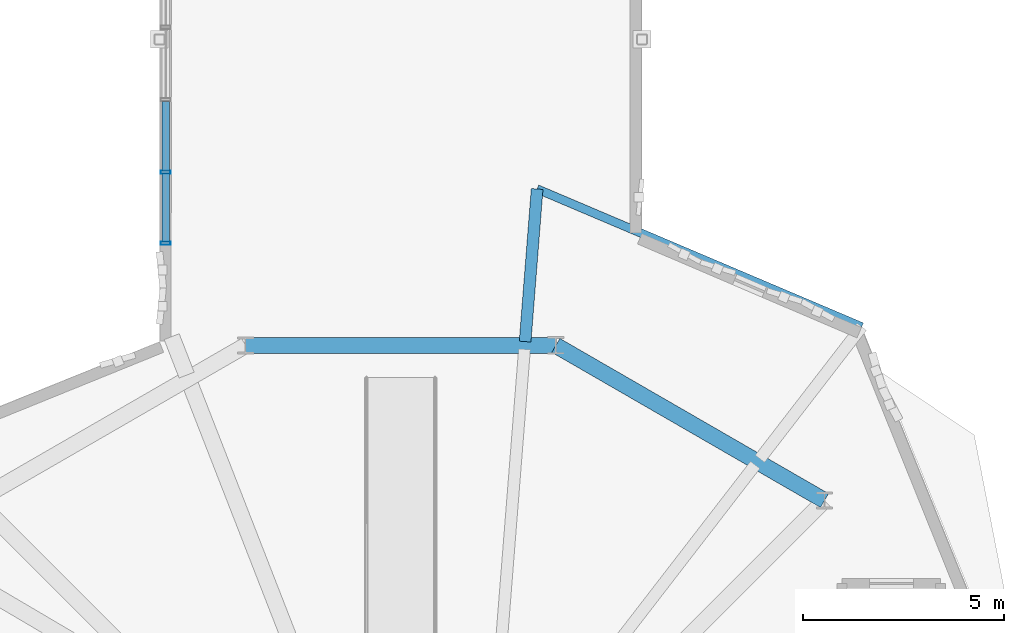
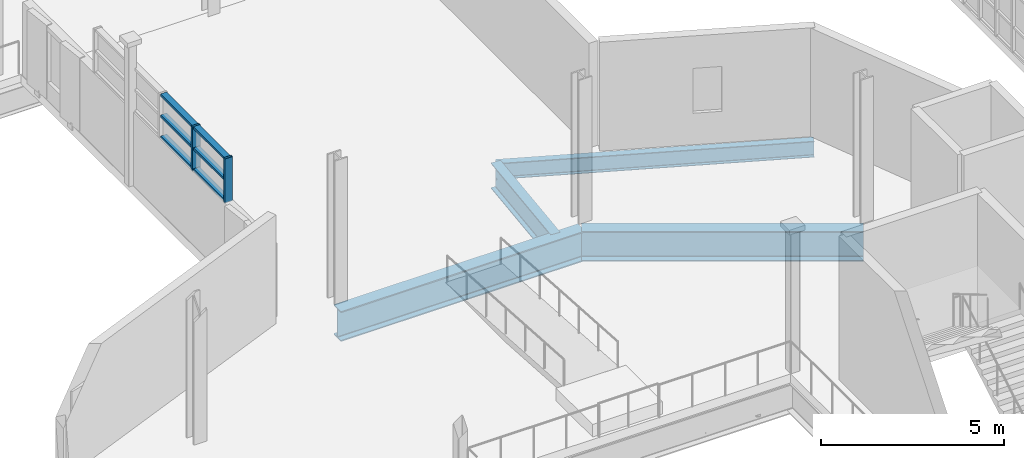
# One storey, part 30 of 122: 8 members, 4 beams, 1 element without a shape of its own.
"""IFC4 building model written with IfcOpenShell, lengths in metres."""

from ifc_helpers import new_model, si_unit, direction, frame, origin, origin_2d, place, context, subcontext, project, spatial, hollow_rectangle, i_section, extrude, material, layer, layer_set, material_profile, profile_set, type_object, element, aggregate, save


model = new_model("IFC4")

# Units and contexts
model_context = context("Model", 3, precision=1e-05, world=origin(), true_north=direction((0.0, 1.0)))
body_context = subcontext(model_context, "Body", "Model", "MODEL_VIEW")
ifc_project = project(units=[si_unit("LENGTHUNIT", "METRE"), si_unit("AREAUNIT", "SQUARE_METRE"), si_unit("VOLUMEUNIT", "CUBIC_METRE"), si_unit("PLANEANGLEUNIT", "RADIAN"), si_unit("MASSUNIT", "GRAM", prefix="KILO"), si_unit("THERMODYNAMICTEMPERATUREUNIT", "KELVIN"), si_unit("POWERUNIT", "WATT")], contexts=[model_context])

# Site, building, storey
site_placement = place(None, origin())
site = spatial("IfcSite", under=ifc_project, at=site_placement, CompositionType="ELEMENT")
building_placement = place(site_placement, origin())
building = spatial("IfcBuilding", under=site, at=building_placement, Name="Zelmaris Science Centre", CompositionType="ELEMENT")
storey_placement = place(building_placement, frame((0.0, 0.0, 10.800048828125)))
storey = spatial("IfcBuildingStorey", under=building, at=storey_placement, Name="L02", CompositionType="ELEMENT", Elevation=10.800048828125)

# Curtain wall, members
ifc_material_1 = material(Name="Anodised architectural aluminium 6063-T6", Category="aluminium")
ifc_layer = layer(ifc_material_1, 0.18994140625, Name="Anodised architectural aluminium 6063-T6")
ifc_layer_set = layer_set([ifc_layer], Name="Anodised architectural aluminium 6063-T6")
curtain_wall_type = type_object("IfcCurtainWallType", Name="Curtain Wall CW-01", PredefinedType="USERDEFINED", material=ifc_layer_set)
curtain_wall_placement = place(storey_placement, origin())
curtain_wall = element("IfcCurtainWall", 1, at=curtain_wall_placement, inside=storey, type_object=curtain_wall_type, Name="L02 Clerestory curtain wall 253", ObjectType="GLAZED CURTAIN WALL", PredefinedType="USERDEFINED")
ifc_material_profile_1 = material_profile(ifc_material_1, hollow_rectangle(XDim=0.080078125, YDim=0.25, WallThickness=0.0048828125, at=origin_2d()), Name="ALU-MUL-80X250")
ifc_profile_set_1 = profile_set([ifc_material_profile_1], Name="Anodised architectural aluminium 6063-T6")
member_type_1 = type_object("IfcMemberType", Name="ALU-MUL-80X250", PredefinedType="MULLION", material=ifc_profile_set_1)
member_1_placement = place(storey_placement, frame((75.154052734375, 52.934814453125, 2.419921875), z_axis=(0.0, 0.0, 1.0), x_axis=(0.000534070726, 0.999999857384, 0.0)))
member_1 = element("IfcMember", 2, at=member_1_placement, type_object=member_type_1, Name="CW-01 mullion 1", PredefinedType="MULLION", context=body_context, shape_type="SweptSolid", body=[
    extrude(hollow_rectangle(XDim=0.080078125, YDim=0.25, WallThickness=0.0048828125, at=origin_2d()), origin(), (0.0, 0.0, 1.0), 1.47705078125),
])
member_2_placement = place(storey_placement, frame((75.155029296875, 54.698974609375, 2.419921875), z_axis=(0.0, 0.0, 1.0), x_axis=(0.000534070726, 0.999999857384, 0.0)))
member_2 = element("IfcMember", 3, at=member_2_placement, type_object=member_type_1, Name="CW-01 mullion 2", PredefinedType="MULLION", context=body_context, shape_type="SweptSolid", body=[
    extrude(hollow_rectangle(XDim=0.080078125, YDim=0.25, WallThickness=0.0048828125, at=origin_2d()), origin(), (0.0, 0.0, 1.0), 1.47705078125),
])
ifc_material_profile_2 = material_profile(ifc_material_1, hollow_rectangle(XDim=0.080078125, YDim=0.18994140625, WallThickness=0.00439453125, at=origin_2d()), Name="ALU-TRN-80X190")
ifc_profile_set_2 = profile_set([ifc_material_profile_2], Name="Anodised architectural aluminium 6063-T6")
member_type_2 = type_object("IfcMemberType", Name="ALU-TRN-80X190", PredefinedType="USERDEFINED", material=ifc_profile_set_2)
member_3_placement = place(storey_placement, frame((75.154052734375, 52.970947265625, 2.4560546875), z_axis=(0.000577200481, 0.99999983342, 0.0), x_axis=(0.0, 0.0, 1.0)))
member_3 = element("IfcMember", 4, at=member_3_placement, type_object=member_type_2, Name="CW-01 transom 1.1", ObjectType="TRANSOM", PredefinedType="USERDEFINED", context=body_context, shape_type="SweptSolid", body=[
    extrude(hollow_rectangle(XDim=0.080078125, YDim=0.18994140625, WallThickness=0.00439453125, at=origin_2d()), origin(), (0.0, 0.0, 1.0), 1.69189453125),
])
member_4_placement = place(storey_placement, frame((75.154052734375, 52.970947265625, 3.158447265625), z_axis=(0.000577200481, 0.99999983342, 0.0), x_axis=(0.0, 0.0, 1.0)))
member_4 = element("IfcMember", 5, at=member_4_placement, type_object=member_type_2, Name="CW-01 transom 1.2", ObjectType="TRANSOM", PredefinedType="USERDEFINED", context=body_context, shape_type="SweptSolid", body=[
    extrude(hollow_rectangle(XDim=0.080078125, YDim=0.18994140625, WallThickness=0.00439453125, at=origin_2d()), origin(), (0.0, 0.0, 1.0), 1.69189453125),
])
member_5_placement = place(storey_placement, frame((75.154052734375, 52.970947265625, 3.86083984375), z_axis=(0.000577200481, 0.99999983342, 0.0), x_axis=(0.0, 0.0, 1.0)))
member_5 = element("IfcMember", 6, at=member_5_placement, type_object=member_type_2, Name="CW-01 transom 1.3", ObjectType="TRANSOM", PredefinedType="USERDEFINED", context=body_context, shape_type="SweptSolid", body=[
    extrude(hollow_rectangle(XDim=0.080078125, YDim=0.18994140625, WallThickness=0.00439453125, at=origin_2d()), origin(), (0.0, 0.0, 1.0), 1.69189453125),
])
member_6_placement = place(storey_placement, frame((75.155029296875, 54.73486328125, 2.4560546875), z_axis=(0.000565131303, 0.999999840313, 0.0), x_axis=(0.0, 0.0, 1.0)))
member_6 = element("IfcMember", 7, at=member_6_placement, type_object=member_type_2, Name="CW-01 transom 2.1", ObjectType="TRANSOM", PredefinedType="USERDEFINED", context=body_context, shape_type="SweptSolid", body=[
    extrude(hollow_rectangle(XDim=0.080078125, YDim=0.18994140625, WallThickness=0.00439453125, at=origin_2d()), origin(), (0.0, 0.0, 1.0), 1.72802734375),
])
member_7_placement = place(storey_placement, frame((75.155029296875, 54.73486328125, 3.158447265625), z_axis=(0.000565131303, 0.999999840313, 0.0), x_axis=(0.0, 0.0, 1.0)))
member_7 = element("IfcMember", 8, at=member_7_placement, type_object=member_type_2, Name="CW-01 transom 2.2", ObjectType="TRANSOM", PredefinedType="USERDEFINED", context=body_context, shape_type="SweptSolid", body=[
    extrude(hollow_rectangle(XDim=0.080078125, YDim=0.18994140625, WallThickness=0.00439453125, at=origin_2d()), origin(), (0.0, 0.0, 1.0), 1.72802734375),
])
member_8_placement = place(storey_placement, frame((75.155029296875, 54.73486328125, 3.86083984375), z_axis=(0.000565131303, 0.999999840313, 0.0), x_axis=(0.0, 0.0, 1.0)))
member_8 = element("IfcMember", 9, at=member_8_placement, type_object=member_type_2, Name="CW-01 transom 2.3", ObjectType="TRANSOM", PredefinedType="USERDEFINED", context=body_context, shape_type="SweptSolid", body=[
    extrude(hollow_rectangle(XDim=0.080078125, YDim=0.18994140625, WallThickness=0.00439453125, at=origin_2d()), origin(), (0.0, 0.0, 1.0), 1.72802734375),
])
aggregate(curtain_wall, [member_1, member_2, member_3, member_4, member_5, member_6, member_7, member_8])

# Beams
ifc_material_2 = material(Name="Steel ASTM A992 Grade 50", Category="steel")
ifc_material_profile_3 = material_profile(ifc_material_2, i_section(OverallWidth=0.40087890625, OverallDepth=1.0009765625, WebThickness=0.01904296875, FlangeThickness=0.0361328125, FilletRadius=0.02490234375, at=origin_2d()), Name="W40X249")
ifc_profile_set_3 = profile_set([ifc_material_profile_3], Name="Steel ASTM A992 Grade 50")
beam_type_1 = type_object("IfcBeamType", Name="Beam G-22 W40X249", PredefinedType="BEAM", material=ifc_profile_set_3)
for number, where, z_axis, x_axis, name in (
    (10, (91.535888671875, 46.535888671875, -0.800537109375), (-0.866021648359, 0.500006504531, 0.0), (-0.500006504531, -0.866021648359, 0.0), "L02 Exhibition inner ring girder 2"),
    (11, (84.8564453125, 50.392333984375, -0.800537109375), (-1.0, 0.0, 0.0), (0.0, -1.0, 0.0), "L02 Exhibition inner ring girder 3"),
):
    element("IfcBeam", number, at=place(storey_placement, frame(where, z_axis=z_axis, x_axis=x_axis)), inside=storey, type_object=beam_type_1, Name=name, PredefinedType="BEAM", context=body_context, shape_type="SweptSolid", body=[
        extrude(i_section(OverallWidth=0.40087890625, OverallDepth=1.0009765625, WebThickness=0.01904296875, FlangeThickness=0.0361328125, FilletRadius=0.02490234375, at=origin_2d()), origin(), (0.0, 0.0, 1.0), 7.712890625),
    ])
ifc_material_profile_4 = material_profile(ifc_material_2, i_section(OverallWidth=0.2919921875, OverallDepth=0.85888671875, WebThickness=0.01708984375, FlangeThickness=0.031005859375, FilletRadius=0.02001953125, at=origin_2d()), Name="W33X169")
ifc_profile_set_4 = profile_set([ifc_material_profile_4], Name="Steel ASTM A992 Grade 50")
beam_type_2 = type_object("IfcBeamType", Name="Beam G-29 W33X169", PredefinedType="BEAM", material=ifc_profile_set_4)
beam_1_placement = place(storey_placement, frame((84.09228515625, 50.487060546875, -0.7294921875), z_axis=(0.078574993685, 0.996908205587, 0.0), x_axis=(-0.996908205587, 0.078574993685, 0.0)))
element("IfcBeam", 12, at=beam_1_placement, inside=storey, type_object=beam_type_2, Name="L02 Radial overhang girder 7", PredefinedType="BEAM", context=body_context, shape_type="SweptSolid", body=[
    extrude(i_section(OverallWidth=0.2919921875, OverallDepth=0.85888671875, WebThickness=0.01708984375, FlangeThickness=0.031005859375, FilletRadius=0.02001953125, at=origin_2d()), origin(), (0.0, 0.0, 1.0), 3.80615234375),
])
ifc_material_profile_5 = material_profile(ifc_material_2, i_section(OverallWidth=0.2109375, OverallDepth=0.5380859375, WebThickness=0.01171875, FlangeThickness=0.018798828125, FilletRadius=0.013916015625, at=origin_2d()), Name="W21X73")
ifc_profile_set_5 = profile_set([ifc_material_profile_5], Name="Steel ASTM A992 Grade 50")
beam_type_3 = type_object("IfcBeamType", Name="Beam SP-02 W21X73", PredefinedType="SPANDREL", material=ifc_profile_set_5)
beam_2_placement = place(storey_placement, frame((92.46240234375, 50.85546875, -0.569091796875), z_axis=(-0.920501978691, 0.390737900934, 0.0), x_axis=(-0.390737900934, -0.920501978691, 0.0)))
element("IfcBeam", 13, at=beam_2_placement, inside=storey, type_object=beam_type_3, Name="L02 Rotated facade spandrel beam 1", PredefinedType="SPANDREL", context=body_context, shape_type="SweptSolid", body=[
    extrude(i_section(OverallWidth=0.2109375, OverallDepth=0.5380859375, WebThickness=0.01171875, FlangeThickness=0.018798828125, FilletRadius=0.013916015625, at=origin_2d()), origin(), (0.0, 0.0, 1.0), 8.76806640625),
])

save(model, "model.ifc")
